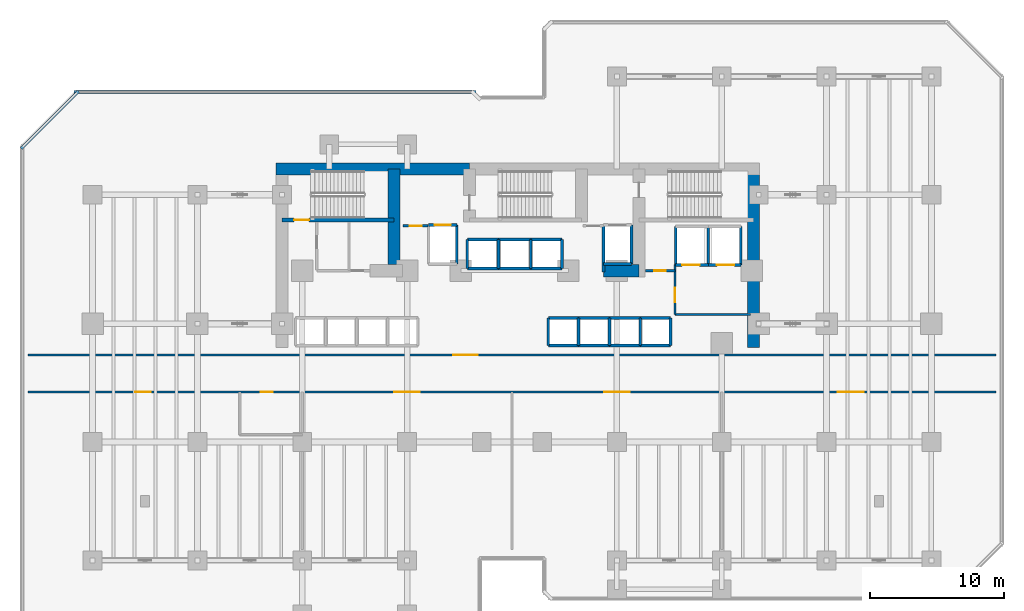
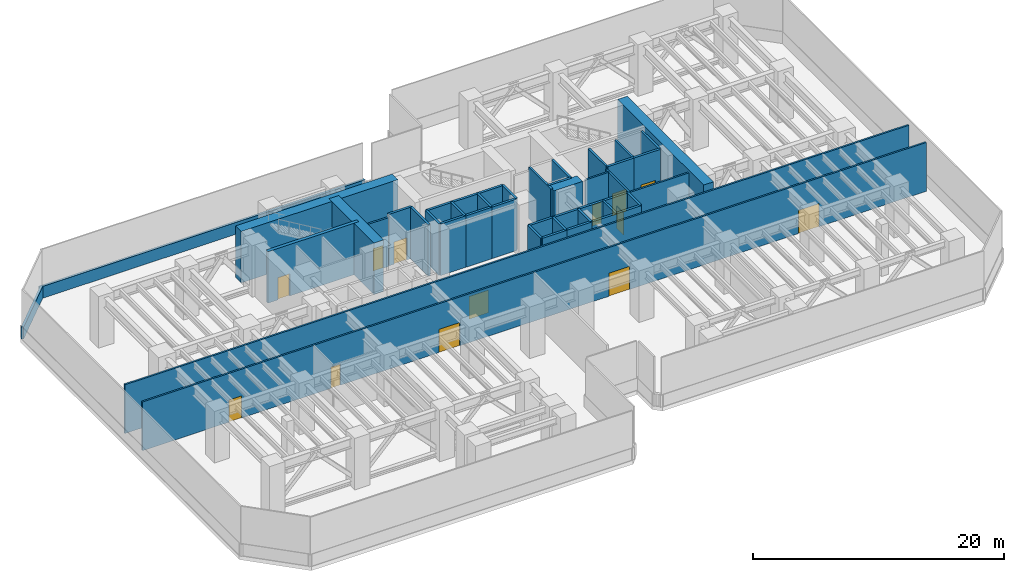
# One storey, part 7 of 13: 46 walls, 13 doors, 13 openings.
"""IFC4 building model written with IfcOpenShell, lengths in metres."""

from ifc_helpers import new_model, si_unit, direction, frame, frame_2d, origin, place, context, subcontext, project, spatial, rectangle, extrude, material, layer, layer_set, type_object, element, fill, save


model = new_model("IFC4")

# Units and contexts
model_context = context("Model", 3, precision=1e-05, world=origin(), true_north=direction((0.0, 1.0)))
body_context = subcontext(model_context, "Body", "Model", "MODEL_VIEW")
ifc_project = project(units=[si_unit("LENGTHUNIT", "METRE"), si_unit("AREAUNIT", "SQUARE_METRE"), si_unit("VOLUMEUNIT", "CUBIC_METRE"), si_unit("PLANEANGLEUNIT", "RADIAN"), si_unit("MASSUNIT", "GRAM", prefix="KILO")], contexts=[model_context])

# Site, building, storey
site_placement = place(None, origin())
site = spatial("IfcSite", under=ifc_project, at=site_placement, CompositionType="ELEMENT")
building_placement = place(site_placement, origin())
building = spatial("IfcBuilding", under=site, at=building_placement, Name="Kestravale Grand Hotel", CompositionType="ELEMENT")
storey_placement = place(building_placement, frame((0.0, 0.0, 75.39990234375)))
storey = spatial("IfcBuildingStorey", under=building, at=storey_placement, Name="L18", CompositionType="ELEMENT", Elevation=75.39990234375)

# Walls
ifc_material_1 = material(Name="Concrete f'c 70 MPa", Category="concrete")
ifc_layer_1 = layer(ifc_material_1, 0.89990234375)
ifc_layer_set_1 = layer_set([ifc_layer_1], Name="EW-CORE-900")
wall_type_1 = type_object("IfcWallType", Name="EW-CORE-900", PredefinedType="SHEAR", material=ifc_layer_set_1)
wall_1_placement = place(storey_placement, frame((21.449951171875, 40.320068359375, 0.0), z_axis=(0.0, 0.0, 1.0), x_axis=(1.0, 0.0, 0.0)))
element("IfcWall", 1, at=wall_1_placement, inside=storey, type_object=wall_type_1, Name="L18 core shear wall N1", PredefinedType="SHEAR", context=body_context, shape_type="SweptSolid", body=[
    extrude(rectangle(XDim=14.400146484375, YDim=0.89990234375, at=frame_2d((7.2001953125, 0.0))), origin(), (0.0, 0.0, 1.0), 5.0),
])
wall_2_placement = place(storey_placement, frame((56.969970703125, 27.050048828125, 0.0), z_axis=(0.0, 0.0, 1.0), x_axis=(0.0, 1.0, 0.0)))
element("IfcWall", 2, at=wall_2_placement, inside=storey, type_object=wall_type_1, Name="L18 core shear wall E1", PredefinedType="SHEAR", context=body_context, shape_type="SweptSolid", body=[
    extrude(rectangle(XDim=13.719970703125, YDim=0.89990234375, at=frame_2d((6.85986328125, 0.0))), origin(), (0.0, 0.0, 1.0), 5.0),
])
wall_3_placement = place(storey_placement, frame((45.81005859375, 32.75, 0.0), z_axis=(0.0, 0.0, 1.0), x_axis=(1.0, 0.0, 0.0)))
element("IfcWall", 3, at=wall_3_placement, inside=storey, type_object=wall_type_1, Name="L18 core shear wall S2", PredefinedType="SHEAR", context=body_context, shape_type="SweptSolid", body=[
    extrude(rectangle(XDim=2.639892578125, YDim=0.89990234375, at=frame_2d((1.31982421875, 0.0))), origin(), (0.0, 0.0, 1.0), 5.0),
])
wall_4_placement = place(storey_placement, frame((30.219970703125, 33.199951171875, 0.0), z_axis=(0.0, 0.0, 1.0), x_axis=(0.0, 1.0, 0.0)))
element("IfcWall", 4, at=wall_4_placement, inside=storey, type_object=wall_type_1, Name="L18 core shear wall X1", PredefinedType="SHEAR", context=body_context, shape_type="SweptSolid", body=[
    extrude(rectangle(XDim=7.1201171875, YDim=0.89990234375, at=frame_2d((3.56005859375, 0.0))), origin(), (0.0, 0.0, 1.0), 5.0),
])
ifc_material_2 = material(Name="Precast concrete f'c 45 MPa", Category="concrete")
ifc_layer_2 = layer(ifc_material_2, 0.219970703125)
ifc_layer_set_2 = layer_set([ifc_layer_2], Name="EW-PAR-220")
wall_type_2 = type_object("IfcWallType", Name="EW-PAR-220", PredefinedType="PARAPET", material=ifc_layer_set_2)
wall_5_placement = place(storey_placement, frame((36.320068359375, 46.030029296875, 0.0), z_axis=(0.0, 0.0, 1.0), x_axis=(-1.0, 0.0, 0.0)))
element("IfcWall", 5, at=wall_5_placement, inside=storey, type_object=wall_type_2, Name="L18 refuge band parapet wall 17", PredefinedType="PARAPET", context=body_context, shape_type="SweptSolid", body=[
    extrude(rectangle(XDim=29.89013671875, YDim=0.219970703125, at=frame_2d((14.945068359375, 0.0))), origin(), (0.0, 0.0, 1.0), 1.150146484375),
])
wall_6_placement = place(storey_placement, frame((6.74853515625, 46.108154296875, 0.0), z_axis=(0.0, 0.0, 1.0), x_axis=(-0.707106781187, -0.707106781187, 0.0)))
element("IfcWall", 6, at=wall_6_placement, inside=storey, type_object=wall_type_2, Name="L18 refuge band parapet wall 18", PredefinedType="PARAPET", context=body_context, shape_type="SweptSolid", body=[
    extrude(rectangle(XDim=6.019775390625, YDim=0.219970703125, at=frame_2d((3.009765625, 0.0))), origin(), (0.0, 0.0, 1.0), 1.150146484375),
])

# Wall, opening, door
ifc_material_3 = material(Name="Concrete f'c 45 MPa", Category="concrete")
ifc_layer_3 = layer(ifc_material_3, 0.300048828125)
ifc_layer_set_3 = layer_set([ifc_layer_3], Name="EW-STAIR-300")
wall_type_3 = type_object("IfcWallType", Name="EW-STAIR-300", PredefinedType="SHEAR", material=ifc_layer_set_3)
wall_7_placement = place(storey_placement, frame((21.89990234375, 36.52001953125, 0.0), z_axis=(0.0, 0.0, 1.0), x_axis=(1.0, 0.0, 0.0)))
wall_7 = element("IfcWall", 7, at=wall_7_placement, inside=storey, type_object=wall_type_3, Name="L18 stair enclosure shear wall SST1", PredefinedType="SHEAR", context=body_context, shape_type="SweptSolid", body=[
    extrude(rectangle(XDim=8.320068359375, YDim=0.300048828125, at=frame_2d((4.16015625, 0.0))), origin(), (0.0, 0.0, 1.0), 5.0),
])
opening_1_placement = place(wall_7_placement, frame((0.89990234375, 0.0, 0.0)))
opening_1 = element("IfcOpeningElement", 8, at=opening_1_placement, cuts=wall_7, Name="Opening D-ST-1100", PredefinedType="OPENING", context=body_context, shape_type="SweptSolid", body=[
    extrude(rectangle(XDim=1.10009765625, YDim=2.14990234375, at=frame_2d((0.550048828125, 1.074951171875))), frame((0.0, 0.159912109375, 0.0), z_axis=(0.0, -1.0, 0.0), x_axis=(1.0, 0.0, 0.0)), (0.0, 0.0, 1.0), 0.320068359375),
])
ifc_material_4 = material(Name="Galvanised 90-minute fire-rated steel stair door", Category="steel")
door_type_1 = type_object("IfcDoorType", Name="D-ST-1100", OperationType="NOTDEFINED", PredefinedType="DOOR", material=ifc_material_4)
door_1_placement = place(opening_1_placement, origin())
door_1 = element("IfcDoor", 9, at=door_1_placement, inside=storey, type_object=door_type_1, Name="L18 Stair ST-1 fire door", OperationType="SINGLE_SWING_RIGHT", OverallHeight=2.14990234375, OverallWidth=1.10009765625, PredefinedType="DOOR", context=body_context, shape_type="SweptSolid", body=[
    extrude(rectangle(XDim=1.10009765625, YDim=2.14990234375, at=frame_2d((0.550048828125, 1.074951171875))), frame((0.0, 0.02490234375, 0.0), z_axis=(0.0, -1.0, 0.0), x_axis=(1.0, 0.0, 0.0)), (0.0, 0.0, 1.0), 0.050048828125),
])
fill(opening_1, door_1)

ifc_material_5 = material(Name="Acoustic fire-rated gypsum board partition", Category="other")
ifc_layer_4 = layer(ifc_material_5, 0.159912109375)
ifc_layer_set_4 = layer_set([ifc_layer_4], Name="IW-CORR-160")
wall_type_4 = type_object("IfcWallType", Name="IW-CORR-160", PredefinedType="PARTITIONING", material=ifc_layer_set_4)
wall_8_placement = place(storey_placement, frame((51.1201171875, 29.5, 0.0), z_axis=(0.0, 0.0, 1.0), x_axis=(0.0, 1.0, 0.0)))
wall_8 = element("IfcWall", 10, at=wall_8_placement, inside=storey, type_object=wall_type_4, Name="W-L18-SVCLOB-W", PredefinedType="PARTITIONING", context=body_context, shape_type="SweptSolid", body=[
    extrude(rectangle(XDim=3.699951171875, YDim=0.159912109375, at=frame_2d((1.85009765625, 0.0))), origin(), (0.0, 0.0, 1.0), 4.739990234375),
])
opening_2_placement = place(wall_8_placement, frame((0.89990234375, 0.0, 0.0)))
opening_2 = element("IfcOpeningElement", 11, at=opening_2_placement, cuts=wall_8, Name="Opening D-CORR-1100", PredefinedType="OPENING", context=body_context, shape_type="SweptSolid", body=[
    extrude(rectangle(XDim=1.10009765625, YDim=2.14990234375, at=frame_2d((0.550048828125, 1.074951171875))), frame((0.0, 0.08984375, 0.0), z_axis=(0.0, -1.0, 0.0), x_axis=(1.0, 0.0, 0.0)), (0.0, 0.0, 1.0), 0.179931640625),
])
ifc_material_6 = material(Name="Single-leaf service vestibule fire door", Category="steel")
door_type_2 = type_object("IfcDoorType", Name="D-CORR-1100", OperationType="NOTDEFINED", PredefinedType="DOOR", material=ifc_material_6)
door_2_placement = place(opening_2_placement, origin())
door_2 = element("IfcDoor", 12, at=door_2_placement, inside=storey, type_object=door_type_2, Name="L18 service lift lobby door", OperationType="SINGLE_SWING_LEFT", OverallHeight=2.14990234375, OverallWidth=1.10009765625, PredefinedType="DOOR", context=body_context, shape_type="SweptSolid", body=[
    extrude(rectangle(XDim=1.10009765625, YDim=2.14990234375, at=frame_2d((0.550048828125, 1.074951171875))), frame((0.0, 0.02490234375, 0.0), z_axis=(0.0, -1.0, 0.0), x_axis=(1.0, 0.0, 0.0)), (0.0, 0.0, 1.0), 0.050048828125),
])
fill(opening_2, door_2)

# Wall
wall_9_placement = place(storey_placement, frame((51.1201171875, 29.5, 0.0), z_axis=(0.0, 0.0, 1.0), x_axis=(1.0, 0.0, 0.0)))
element("IfcWall", 13, at=wall_9_placement, inside=storey, type_object=wall_type_4, Name="L18 service lift lobby wall", PredefinedType="PARTITIONING", context=body_context, shape_type="SweptSolid", body=[
    extrude(rectangle(XDim=5.6298828125, YDim=0.159912109375, at=frame_2d((2.81494140625, 0.0))), origin(), (0.0, 0.0, 1.0), 4.739990234375),
])

# Wall, opening, door
wall_10_placement = place(storey_placement, frame((48.919921875, 32.75, 0.0), z_axis=(0.0, 0.0, 1.0), x_axis=(1.0, 0.0, 0.0)))
wall_10 = element("IfcWall", 14, at=wall_10_placement, inside=storey, type_object=wall_type_4, Name="W-L18-CES", PredefinedType="PARTITIONING", context=body_context, shape_type="SweptSolid", body=[
    extrude(rectangle(XDim=2.2001953125, YDim=0.159912109375, at=frame_2d((1.10009765625, 0.0))), origin(), (0.0, 0.0, 1.0), 4.739990234375),
])
opening_3_placement = place(wall_10_placement, frame((0.64990234375, 0.0, 0.0)))
opening_3 = element("IfcOpeningElement", 15, at=opening_3_placement, cuts=wall_10, Name="Opening D-SH-860", PredefinedType="OPENING", context=body_context, shape_type="SweptSolid", body=[
    extrude(rectangle(XDim=0.860107421875, YDim=2.050048828125, at=frame_2d((0.43017578125, 1.02490234375))), frame((0.0, 0.08984375, 0.0), z_axis=(0.0, -1.0, 0.0), x_axis=(1.0, 0.0, 0.0)), (0.0, 0.0, 1.0), 0.179931640625),
])
ifc_material_7 = material(Name="Galvanised 90-minute riser fire door", Category="steel")
door_type_3 = type_object("IfcDoorType", Name="D-SH-860", OperationType="NOTDEFINED", PredefinedType="DOOR", material=ifc_material_7)
door_3_placement = place(opening_3_placement, origin())
door_3 = element("IfcDoor", 16, at=door_3_placement, inside=storey, type_object=door_type_3, Name="L18 CSTO1 door", OperationType="SINGLE_SWING_RIGHT", OverallHeight=2.050048828125, OverallWidth=0.860107421875, PredefinedType="DOOR", context=body_context, shape_type="SweptSolid", body=[
    extrude(rectangle(XDim=0.860107421875, YDim=2.050048828125, at=frame_2d((0.43017578125, 1.02490234375))), frame((0.0, 0.02490234375, 0.0), z_axis=(0.0, -1.0, 0.0), x_axis=(1.0, 0.0, 0.0)), (0.0, 0.0, 1.0), 0.050048828125),
])
fill(opening_3, door_3)

# Wall, openings, doors
wall_11_placement = place(storey_placement, frame((3.0, 23.719970703125, 0.0), z_axis=(0.0, 0.0, 1.0), x_axis=(1.0, 0.0, 0.0)))
wall_11 = element("IfcWall", 17, at=wall_11_placement, inside=storey, type_object=wall_type_4, Name="W-L18-PC-S", PredefinedType="PARTITIONING", context=body_context, shape_type="SweptSolid", body=[
    extrude(rectangle(XDim=72.0, YDim=0.159912109375, at=frame_2d((36.0, 0.0))), origin(), (0.0, 0.0, 1.0), 4.739990234375),
])
opening_4_placement = place(wall_11_placement, frame((17.31005859375, 0.0, 0.0)))
opening_4 = element("IfcOpeningElement", 18, at=opening_4_placement, cuts=wall_11, Name="Opening D-BATH-880", PredefinedType="OPENING", context=body_context, shape_type="SweptSolid", body=[
    extrude(rectangle(XDim=0.8798828125, YDim=2.050048828125, at=frame_2d((0.43994140625, 1.02490234375))), frame((0.0, 0.08984375, 0.0), z_axis=(0.0, -1.0, 0.0), x_axis=(1.0, 0.0, 0.0)), (0.0, 0.0, 1.0), 0.179931640625),
])
opening_5_placement = place(wall_11_placement, frame((7.97509765625, 0.0, 0.0)))
opening_5 = element("IfcOpeningElement", 19, at=opening_5_placement, cuts=wall_11, Name="Opening D-FSAE-1150", PredefinedType="OPENING", context=body_context, shape_type="SweptSolid", body=[
    extrude(rectangle(XDim=1.14990234375, YDim=2.14990234375, at=frame_2d((0.574951171875, 1.074951171875))), frame((0.0, 0.08984375, 0.0), z_axis=(0.0, -1.0, 0.0), x_axis=(1.0, 0.0, 0.0)), (0.0, 0.0, 1.0), 0.179931640625),
])
opening_6_placement = place(wall_11_placement, frame((27.25, 0.0, 0.0)))
opening_6 = element("IfcOpeningElement", 20, at=opening_6_placement, cuts=wall_11, Name="Opening D-PLT-1900", PredefinedType="OPENING", context=body_context, shape_type="SweptSolid", body=[
    extrude(rectangle(XDim=1.89990234375, YDim=2.25, at=frame_2d((0.949951171875, 1.125))), frame((0.0, 0.08984375, 0.0), z_axis=(0.0, -1.0, 0.0), x_axis=(1.0, 0.0, 0.0)), (0.0, 0.0, 1.0), 0.179931640625),
])
opening_7_placement = place(wall_11_placement, frame((42.85009765625, 0.0, 0.0)))
opening_7 = element("IfcOpeningElement", 21, at=opening_7_placement, cuts=wall_11, Name="Opening D-PLT-1900", PredefinedType="OPENING", context=body_context, shape_type="SweptSolid", body=[
    extrude(rectangle(XDim=1.89990234375, YDim=2.25, at=frame_2d((0.949951171875, 1.125))), frame((0.0, 0.08984375, 0.0), z_axis=(0.0, -1.0, 0.0), x_axis=(1.0, 0.0, 0.0)), (0.0, 0.0, 1.0), 0.179931640625),
])
opening_8_placement = place(wall_11_placement, frame((60.25, 0.0, 0.0)))
opening_8 = element("IfcOpeningElement", 22, at=opening_8_placement, cuts=wall_11, Name="Opening D-PLT-1900", PredefinedType="OPENING", context=body_context, shape_type="SweptSolid", body=[
    extrude(rectangle(XDim=1.89990234375, YDim=2.25, at=frame_2d((0.949951171875, 1.125))), frame((0.0, 0.08984375, 0.0), z_axis=(0.0, -1.0, 0.0), x_axis=(1.0, 0.0, 0.0)), (0.0, 0.0, 1.0), 0.179931640625),
])
ifc_material_8 = material(Name="Moisture-sealed walnut en-suite bathroom door", Category="wood")
door_type_4 = type_object("IfcDoorType", Name="D-BATH-880", OperationType="NOTDEFINED", PredefinedType="DOOR", material=ifc_material_8)
door_4_placement = place(opening_4_placement, origin())
door_4 = element("IfcDoor", 23, at=door_4_placement, inside=storey, type_object=door_type_4, Name="D-L18-RWC", OperationType="SINGLE_SWING_RIGHT", OverallHeight=2.050048828125, OverallWidth=0.8798828125, PredefinedType="DOOR", context=body_context, shape_type="SweptSolid", body=[
    extrude(rectangle(XDim=0.8798828125, YDim=2.050048828125, at=frame_2d((0.43994140625, 1.02490234375))), frame((0.0, 0.02490234375, 0.0), z_axis=(0.0, -1.0, 0.0), x_axis=(1.0, 0.0, 0.0)), (0.0, 0.0, 1.0), 0.050048828125),
])
fill(opening_4, door_4)
ifc_material_9 = material(Name="Smoke-gasketed FSAE lobby fire door", Category="steel")
door_type_5 = type_object("IfcDoorType", Name="D-FSAE-1150", OperationType="NOTDEFINED", PredefinedType="DOOR", material=ifc_material_9)
door_5_placement = place(opening_5_placement, origin())
door_5 = element("IfcDoor", 24, at=door_5_placement, inside=storey, type_object=door_type_5, Name="D-L18-REFUGE", OperationType="SINGLE_SWING_LEFT", OverallHeight=2.14990234375, OverallWidth=1.14990234375, PredefinedType="DOOR", context=body_context, shape_type="SweptSolid", body=[
    extrude(rectangle(XDim=1.14990234375, YDim=2.14990234375, at=frame_2d((0.574951171875, 1.074951171875))), frame((0.0, 0.02490234375, 0.0), z_axis=(0.0, -1.0, 0.0), x_axis=(1.0, 0.0, 0.0)), (0.0, 0.0, 1.0), 0.050048828125),
])
fill(opening_5, door_5)
ifc_material_10 = material(Name="Heavy-duty double plant room fire door", Category="steel")
door_type_6 = type_object("IfcDoorType", Name="D-PLT-1900", OperationType="NOTDEFINED", PredefinedType="DOOR", material=ifc_material_10)
door_6_placement = place(opening_6_placement, origin())
door_6 = element("IfcDoor", 25, at=door_6_placement, inside=storey, type_object=door_type_6, Name="D-L18-AHU", OperationType="DOUBLE_DOOR_SINGLE_SWING", OverallHeight=2.25, OverallWidth=1.89990234375, PredefinedType="DOOR", context=body_context, shape_type="SweptSolid", body=[
    extrude(rectangle(XDim=1.89990234375, YDim=2.25, at=frame_2d((0.949951171875, 1.125))), frame((0.0, 0.02490234375, 0.0), z_axis=(0.0, -1.0, 0.0), x_axis=(1.0, 0.0, 0.0)), (0.0, 0.0, 1.0), 0.050048828125),
])
fill(opening_6, door_6)
door_7_placement = place(opening_7_placement, origin())
door_7 = element("IfcDoor", 26, at=door_7_placement, inside=storey, type_object=door_type_6, Name="D-L18-HEX", OperationType="DOUBLE_DOOR_SINGLE_SWING", OverallHeight=2.25, OverallWidth=1.89990234375, PredefinedType="DOOR", context=body_context, shape_type="SweptSolid", body=[
    extrude(rectangle(XDim=1.89990234375, YDim=2.25, at=frame_2d((0.949951171875, 1.125))), frame((0.0, 0.02490234375, 0.0), z_axis=(0.0, -1.0, 0.0), x_axis=(1.0, 0.0, 0.0)), (0.0, 0.0, 1.0), 0.050048828125),
])
fill(opening_7, door_7)
door_8_placement = place(opening_8_placement, origin())
door_8 = element("IfcDoor", 27, at=door_8_placement, inside=storey, type_object=door_type_6, Name="D-L18-SUB", OperationType="DOUBLE_DOOR_SINGLE_SWING", OverallHeight=2.25, OverallWidth=1.89990234375, PredefinedType="DOOR", context=body_context, shape_type="SweptSolid", body=[
    extrude(rectangle(XDim=1.89990234375, YDim=2.25, at=frame_2d((0.949951171875, 1.125))), frame((0.0, 0.02490234375, 0.0), z_axis=(0.0, -1.0, 0.0), x_axis=(1.0, 0.0, 0.0)), (0.0, 0.0, 1.0), 0.050048828125),
])
fill(opening_8, door_8)

# Wall, opening, door
wall_12_placement = place(storey_placement, frame((3.0, 26.47998046875, 0.0), z_axis=(0.0, 0.0, 1.0), x_axis=(1.0, 0.0, 0.0)))
wall_12 = element("IfcWall", 28, at=wall_12_placement, inside=storey, type_object=wall_type_4, Name="W-L18-PC-N", PredefinedType="PARTITIONING", context=body_context, shape_type="SweptSolid", body=[
    extrude(rectangle(XDim=72.0, YDim=0.159912109375, at=frame_2d((36.0, 0.0))), origin(), (0.0, 0.0, 1.0), 4.739990234375),
])
opening_9_placement = place(wall_12_placement, frame((31.634033203125, 0.0, 0.0)))
opening_9 = element("IfcOpeningElement", 29, at=opening_9_placement, cuts=wall_12, Name="Opening D-CORR-1800", PredefinedType="OPENING", context=body_context, shape_type="SweptSolid", body=[
    extrude(rectangle(XDim=1.800048828125, YDim=2.199951171875, at=frame_2d((0.89990234375, 1.10009765625))), frame((0.0, 0.08984375, 0.0), z_axis=(0.0, -1.0, 0.0), x_axis=(1.0, 0.0, 0.0)), (0.0, 0.0, 1.0), 0.179931640625),
])
ifc_material_11 = material(Name="Double-leaf glazed bronze acoustic corridor fire door", Category="aluminium")
door_type_7 = type_object("IfcDoorType", Name="D-CORR-1800", OperationType="NOTDEFINED", PredefinedType="DOOR", material=ifc_material_11)
door_9_placement = place(opening_9_placement, origin())
door_9 = element("IfcDoor", 30, at=door_9_placement, inside=storey, type_object=door_type_7, Name="D-L18-PC-LFT", OperationType="DOUBLE_DOOR_SINGLE_SWING", OverallHeight=2.199951171875, OverallWidth=1.800048828125, PredefinedType="DOOR", context=body_context, shape_type="SweptSolid", body=[
    extrude(rectangle(XDim=1.800048828125, YDim=2.199951171875, at=frame_2d((0.89990234375, 1.10009765625))), frame((0.0, 0.02490234375, 0.0), z_axis=(0.0, -1.0, 0.0), x_axis=(1.0, 0.0, 0.0)), (0.0, 0.0, 1.0), 0.050048828125),
])
fill(opening_9, door_9)

ifc_material_12 = material(Name="Fire-rated gypsum board on steel studs with mineral wool", Category="steel")
ifc_layer_5 = layer(ifc_material_12, 0.179931640625)
ifc_layer_set_5 = layer_set([ifc_layer_5], Name="IW-FSAE-180")
wall_type_5 = type_object("IfcWallType", Name="IW-FSAE-180", PredefinedType="PARTITIONING", material=ifc_layer_set_5)
wall_13_placement = place(storey_placement, frame((30.89990234375, 36.080078125, 0.0), z_axis=(0.0, 0.0, 1.0), x_axis=(1.0, 0.0, 0.0)))
wall_13 = element("IfcWall", 31, at=wall_13_placement, inside=storey, type_object=wall_type_5, Name="L18 FSAE Lobby 1 smoke barrier", PredefinedType="PARTITIONING", context=body_context, shape_type="SweptSolid", body=[
    extrude(rectangle(XDim=1.85009765625, YDim=0.179931640625, at=frame_2d((0.925048828125, 0.0))), origin(), (0.0, 0.0, 1.0), 4.739990234375),
])
opening_10_placement = place(wall_13_placement, frame((0.47998046875, 0.0, 0.0)))
opening_10 = element("IfcOpeningElement", 32, at=opening_10_placement, cuts=wall_13, Name="Opening D-FSAE-1000", PredefinedType="OPENING", context=body_context, shape_type="SweptSolid", body=[
    extrude(rectangle(XDim=0.89990234375, YDim=2.14990234375, at=frame_2d((0.449951171875, 1.074951171875))), frame((0.0, 0.099853515625, 0.0), z_axis=(0.0, -1.0, 0.0), x_axis=(1.0, 0.0, 0.0)), (0.0, 0.0, 1.0), 0.199951171875),
])
ifc_material_13 = material(Name="Smoke-gasketed FSAE lobby fire door", Category="steel")
door_type_8 = type_object("IfcDoorType", Name="D-FSAE-1000", OperationType="NOTDEFINED", PredefinedType="DOOR", material=ifc_material_13)
door_10_placement = place(opening_10_placement, origin())
door_10 = element("IfcDoor", 33, at=door_10_placement, inside=storey, type_object=door_type_8, Name="L18 FSAE Lobby 1 fire door", OperationType="SINGLE_SWING_RIGHT", OverallHeight=2.14990234375, OverallWidth=0.89990234375, PredefinedType="DOOR", context=body_context, shape_type="SweptSolid", body=[
    extrude(rectangle(XDim=0.89990234375, YDim=2.14990234375, at=frame_2d((0.449951171875, 1.074951171875))), frame((0.0, 0.02490234375, 0.0), z_axis=(0.0, -1.0, 0.0), x_axis=(1.0, 0.0, 0.0)), (0.0, 0.0, 1.0), 0.050048828125),
])
fill(opening_10, door_10)

# Walls
ifc_material_14 = material(Name="Concrete f'c 45 MPa", Category="concrete")
ifc_layer_6 = layer(ifc_material_14, 0.199951171875)
ifc_layer_set_6 = layer_set([ifc_layer_6], Name="IW-SHAFT-200")
wall_type_6 = type_object("IfcWallType", Name="IW-SHAFT-200", PredefinedType="SHEAR", material=ifc_layer_set_6)
for number, where, z_axis, x_axis, name in (
    (34, (41.705078125, 27.169921875, 0.0), (0.0, 0.0, 1.0), (0.0, 1.0, 0.0), "L18 PL-M1 west shaft wall"),
    (35, (43.949951171875, 27.169921875, 0.0), (0.0, 0.0, 1.0), (0.0, 1.0, 0.0), "L18 PL-M2 west shaft wall"),
    (36, (46.25, 27.169921875, 0.0), (0.0, 0.0, 1.0), (0.0, 1.0, 0.0), "L18 PL-M3 west shaft wall"),
    (37, (48.550048828125, 27.169921875, 0.0), (0.0, 0.0, 1.0), (0.0, 1.0, 0.0), "L18 PL-M4 west shaft wall"),
    (38, (50.794921875, 27.169921875, 0.0), (0.0, 0.0, 1.0), (0.0, 1.0, 0.0), "L18 PL-M4 east shaft wall"),
):
    element("IfcWall", number, at=place(storey_placement, frame(where, z_axis=z_axis, x_axis=x_axis)), inside=storey, type_object=wall_type_6, Name=name, PredefinedType="SHEAR", context=body_context, shape_type="SweptSolid", body=[
        extrude(rectangle(XDim=2.06005859375, YDim=0.199951171875, at=frame_2d((1.030029296875, 0.0))), origin(), (0.0, 0.0, 1.0), 5.0),
    ])
for number, where, z_axis, x_axis, name in (
    (39, (35.679931640625, 32.919921875, 0.0), (0.0, 0.0, 1.0), (0.0, 1.0, 0.0), "L18 PL-X1 west shaft wall"),
    (40, (38.0, 32.919921875, 0.0), (0.0, 0.0, 1.0), (0.0, 1.0, 0.0), "L18 PL-X2 west shaft wall"),
    (41, (40.39990234375, 32.919921875, 0.0), (0.0, 0.0, 1.0), (0.0, 1.0, 0.0), "L18 PL-X3 west shaft wall"),
    (42, (42.719970703125, 32.919921875, 0.0), (0.0, 0.0, 1.0), (0.0, 1.0, 0.0), "L18 PL-X3 east shaft wall"),
):
    element("IfcWall", number, at=place(storey_placement, frame(where, z_axis=z_axis, x_axis=x_axis)), inside=storey, type_object=wall_type_6, Name=name, PredefinedType="SHEAR", context=body_context, shape_type="SweptSolid", body=[
        extrude(rectangle(XDim=2.16015625, YDim=0.199951171875, at=frame_2d((1.080078125, 0.0))), origin(), (0.0, 0.0, 1.0), 5.0),
    ])
for number, where, z_axis, x_axis, name in (
    (43, (51.179931640625, 33.169921875, 0.0), (0.0, 0.0, 1.0), (0.0, 1.0, 0.0), "L18 SL-1 west shaft wall"),
    (44, (53.60009765625, 33.169921875, 0.0), (0.0, 0.0, 1.0), (0.0, 1.0, 0.0), "L18 SL-2 west shaft wall"),
    (45, (56.02001953125, 33.169921875, 0.0), (0.0, 0.0, 1.0), (0.0, 1.0, 0.0), "L18 SL-2 east shaft wall"),
):
    element("IfcWall", number, at=place(storey_placement, frame(where, z_axis=z_axis, x_axis=x_axis)), inside=storey, type_object=wall_type_6, Name=name, PredefinedType="SHEAR", context=body_context, shape_type="SweptSolid", body=[
        extrude(rectangle(XDim=2.860107421875, YDim=0.199951171875, at=frame_2d((1.43017578125, 0.0))), origin(), (0.0, 0.0, 1.0), 5.0),
    ])
wall_14_placement = place(storey_placement, frame((34.89501953125, 33.2451171875, 0.0), z_axis=(0.0, 0.0, 1.0), x_axis=(0.0, 1.0, 0.0)))
element("IfcWall", 46, at=wall_14_placement, inside=storey, type_object=wall_type_6, Name="L18 FL-1 east shaft wall", PredefinedType="SHEAR", context=body_context, shape_type="SweptSolid", body=[
    extrude(rectangle(XDim=2.909912109375, YDim=0.199951171875, at=frame_2d((1.455078125, 0.0))), origin(), (0.0, 0.0, 1.0), 5.0),
])
wall_15_placement = place(storey_placement, frame((45.804931640625, 32.64990234375, 0.0), z_axis=(0.0, 0.0, 1.0), x_axis=(0.0, 1.0, 0.0)))
element("IfcWall", 47, at=wall_15_placement, inside=storey, type_object=wall_type_6, Name="L18 FL-2 west shaft wall", PredefinedType="SHEAR", context=body_context, shape_type="SweptSolid", body=[
    extrude(rectangle(XDim=3.505126953125, YDim=0.199951171875, at=frame_2d((1.75244140625, 0.0))), origin(), (0.0, 0.0, 1.0), 5.0),
])
wall_16_placement = place(storey_placement, frame((47.89501953125, 33.2451171875, 0.0), z_axis=(0.0, 0.0, 1.0), x_axis=(0.0, 1.0, 0.0)))
element("IfcWall", 48, at=wall_16_placement, inside=storey, type_object=wall_type_6, Name="L18 FL-2 east shaft wall", PredefinedType="SHEAR", context=body_context, shape_type="SweptSolid", body=[
    extrude(rectangle(XDim=2.909912109375, YDim=0.199951171875, at=frame_2d((1.455078125, 0.0))), origin(), (0.0, 0.0, 1.0), 5.0),
])
ifc_material_15 = material(Name="Concrete f'c 45 MPa", Category="concrete")
ifc_layer_7 = layer(ifc_material_15, 0.219970703125)
ifc_layer_set_7 = layer_set([ifc_layer_7], Name="IW-SHAFT-220")
wall_type_7 = type_object("IfcWallType", Name="IW-SHAFT-220", PredefinedType="SHEAR", material=ifc_layer_set_7)
for number, where, z_axis, x_axis, name in (
    (49, (41.705078125, 29.22998046875, 0.0), (0.0, 0.0, 1.0), (1.0, 0.0, 0.0), "L18 PL-M1 north shaft wall"),
    (50, (41.705078125, 27.169921875, 0.0), (0.0, 0.0, 1.0), (1.0, 0.0, 0.0), "L18 PL-M1 south shaft wall"),
):
    element("IfcWall", number, at=place(storey_placement, frame(where, z_axis=z_axis, x_axis=x_axis)), inside=storey, type_object=wall_type_7, Name=name, PredefinedType="SHEAR", context=body_context, shape_type="SweptSolid", body=[
        extrude(rectangle(XDim=2.244873046875, YDim=0.219970703125, at=frame_2d((1.12255859375, 0.0))), origin(), (0.0, 0.0, 1.0), 5.0),
    ])
for number, where, z_axis, x_axis, name in (
    (51, (43.949951171875, 29.22998046875, 0.0), (0.0, 0.0, 1.0), (1.0, 0.0, 0.0), "L18 PL-M2 north shaft wall"),
    (52, (43.949951171875, 27.169921875, 0.0), (0.0, 0.0, 1.0), (1.0, 0.0, 0.0), "L18 PL-M2 south shaft wall"),
    (53, (46.25, 29.22998046875, 0.0), (0.0, 0.0, 1.0), (1.0, 0.0, 0.0), "L18 PL-M3 north shaft wall"),
    (54, (46.25, 27.169921875, 0.0), (0.0, 0.0, 1.0), (1.0, 0.0, 0.0), "L18 PL-M3 south shaft wall"),
):
    element("IfcWall", number, at=place(storey_placement, frame(where, z_axis=z_axis, x_axis=x_axis)), inside=storey, type_object=wall_type_7, Name=name, PredefinedType="SHEAR", context=body_context, shape_type="SweptSolid", body=[
        extrude(rectangle(XDim=2.300048828125, YDim=0.219970703125, at=frame_2d((1.14990234375, 0.0))), origin(), (0.0, 0.0, 1.0), 5.0),
    ])
for number, where, z_axis, x_axis, name in (
    (55, (48.550048828125, 29.22998046875, 0.0), (0.0, 0.0, 1.0), (1.0, 0.0, 0.0), "L18 PL-M4 north shaft wall"),
    (56, (48.550048828125, 27.169921875, 0.0), (0.0, 0.0, 1.0), (1.0, 0.0, 0.0), "L18 PL-M4 south shaft wall"),
):
    element("IfcWall", number, at=place(storey_placement, frame(where, z_axis=z_axis, x_axis=x_axis)), inside=storey, type_object=wall_type_7, Name=name, PredefinedType="SHEAR", context=body_context, shape_type="SweptSolid", body=[
        extrude(rectangle(XDim=2.244873046875, YDim=0.219970703125, at=frame_2d((1.12255859375, 0.0))), origin(), (0.0, 0.0, 1.0), 5.0),
    ])
for number, where, z_axis, x_axis, name in (
    (57, (35.679931640625, 35.080078125, 0.0), (0.0, 0.0, 1.0), (1.0, 0.0, 0.0), "L18 PL-X1 north shaft wall"),
    (58, (35.679931640625, 32.919921875, 0.0), (0.0, 0.0, 1.0), (1.0, 0.0, 0.0), "L18 PL-X1 south shaft wall"),
):
    element("IfcWall", number, at=place(storey_placement, frame(where, z_axis=z_axis, x_axis=x_axis)), inside=storey, type_object=wall_type_7, Name=name, PredefinedType="SHEAR", context=body_context, shape_type="SweptSolid", body=[
        extrude(rectangle(XDim=2.320068359375, YDim=0.219970703125, at=frame_2d((1.16015625, 0.0))), origin(), (0.0, 0.0, 1.0), 5.0),
    ])
for number, where, z_axis, x_axis, name in (
    (59, (38.0, 35.080078125, 0.0), (0.0, 0.0, 1.0), (1.0, 0.0, 0.0), "L18 PL-X2 north shaft wall"),
    (60, (38.0, 32.919921875, 0.0), (0.0, 0.0, 1.0), (1.0, 0.0, 0.0), "L18 PL-X2 south shaft wall"),
):
    element("IfcWall", number, at=place(storey_placement, frame(where, z_axis=z_axis, x_axis=x_axis)), inside=storey, type_object=wall_type_7, Name=name, PredefinedType="SHEAR", context=body_context, shape_type="SweptSolid", body=[
        extrude(rectangle(XDim=2.39990234375, YDim=0.219970703125, at=frame_2d((1.199951171875, 0.0))), origin(), (0.0, 0.0, 1.0), 5.0),
    ])
for number, where, z_axis, x_axis, name in (
    (61, (40.39990234375, 35.080078125, 0.0), (0.0, 0.0, 1.0), (1.0, 0.0, 0.0), "L18 PL-X3 north shaft wall"),
    (62, (40.39990234375, 32.919921875, 0.0), (0.0, 0.0, 1.0), (1.0, 0.0, 0.0), "L18 PL-X3 south shaft wall"),
):
    element("IfcWall", number, at=place(storey_placement, frame(where, z_axis=z_axis, x_axis=x_axis)), inside=storey, type_object=wall_type_7, Name=name, PredefinedType="SHEAR", context=body_context, shape_type="SweptSolid", body=[
        extrude(rectangle(XDim=2.320068359375, YDim=0.219970703125, at=frame_2d((1.16015625, 0.0))), origin(), (0.0, 0.0, 1.0), 5.0),
    ])

# Wall, opening, door
wall_17_placement = place(storey_placement, frame((51.179931640625, 33.169921875, 0.0), z_axis=(0.0, 0.0, 1.0), x_axis=(1.0, 0.0, 0.0)))
wall_17 = element("IfcWall", 63, at=wall_17_placement, inside=storey, type_object=wall_type_7, Name="L18 SL-1 south shaft wall", PredefinedType="SHEAR", context=body_context, shape_type="SweptSolid", body=[
    extrude(rectangle(XDim=2.420166015625, YDim=0.219970703125, at=frame_2d((1.2099609375, 0.0))), origin(), (0.0, 0.0, 1.0), 5.0),
])
opening_11_placement = place(wall_17_placement, frame((0.469970703125, 0.0, 0.0)))
opening_11 = element("IfcOpeningElement", 64, at=opening_11_placement, cuts=wall_17, Name="Opening LD-SVC-1300", PredefinedType="OPENING", context=body_context, shape_type="SweptSolid", body=[
    extrude(rectangle(XDim=1.300048828125, YDim=2.14990234375, at=frame_2d((0.64990234375, 1.074951171875))), frame((0.0, 0.119873046875, 0.0), z_axis=(0.0, -1.0, 0.0), x_axis=(1.0, 0.0, 0.0)), (0.0, 0.0, 1.0), 0.239990234375),
])
ifc_material_16 = material(Name="Heavy-duty service sliding elevator landing door", Category="steel")
door_type_9 = type_object("IfcDoorType", Name="LD-SVC-1300", OperationType="NOTDEFINED", PredefinedType="DOOR", material=ifc_material_16)
door_11_placement = place(opening_11_placement, origin())
door_11 = element("IfcDoor", 65, at=door_11_placement, inside=storey, type_object=door_type_9, Name="L18 SL-1 elevator landing sliding door", OperationType="DOUBLE_DOOR_SLIDING", OverallHeight=2.14990234375, OverallWidth=1.300048828125, PredefinedType="DOOR", context=body_context, shape_type="SweptSolid", body=[
    extrude(rectangle(XDim=1.300048828125, YDim=2.14990234375, at=frame_2d((0.64990234375, 1.074951171875))), frame((0.0, 0.02490234375, 0.0), z_axis=(0.0, -1.0, 0.0), x_axis=(1.0, 0.0, 0.0)), (0.0, 0.0, 1.0), 0.050048828125),
])
fill(opening_11, door_11)

wall_18_placement = place(storey_placement, frame((53.60009765625, 33.169921875, 0.0), z_axis=(0.0, 0.0, 1.0), x_axis=(1.0, 0.0, 0.0)))
wall_18 = element("IfcWall", 66, at=wall_18_placement, inside=storey, type_object=wall_type_7, Name="L18 SL-2 south shaft wall", PredefinedType="SHEAR", context=body_context, shape_type="SweptSolid", body=[
    extrude(rectangle(XDim=2.419921875, YDim=0.219970703125, at=frame_2d((1.2099609375, 0.0))), origin(), (0.0, 0.0, 1.0), 5.0),
])
opening_12_placement = place(wall_18_placement, frame((0.64990234375, 0.0, 0.0)))
opening_12 = element("IfcOpeningElement", 67, at=opening_12_placement, cuts=wall_18, Name="Opening LD-SVC-1300", PredefinedType="OPENING", context=body_context, shape_type="SweptSolid", body=[
    extrude(rectangle(XDim=1.300048828125, YDim=2.14990234375, at=frame_2d((0.64990234375, 1.074951171875))), frame((0.0, 0.119873046875, 0.0), z_axis=(0.0, -1.0, 0.0), x_axis=(1.0, 0.0, 0.0)), (0.0, 0.0, 1.0), 0.239990234375),
])
door_12_placement = place(opening_12_placement, origin())
door_12 = element("IfcDoor", 68, at=door_12_placement, inside=storey, type_object=door_type_9, Name="L18 SL-2 elevator landing sliding door", OperationType="DOUBLE_DOOR_SLIDING", OverallHeight=2.14990234375, OverallWidth=1.300048828125, PredefinedType="DOOR", context=body_context, shape_type="SweptSolid", body=[
    extrude(rectangle(XDim=1.300048828125, YDim=2.14990234375, at=frame_2d((0.64990234375, 1.074951171875))), frame((0.0, 0.02490234375, 0.0), z_axis=(0.0, -1.0, 0.0), x_axis=(1.0, 0.0, 0.0)), (0.0, 0.0, 1.0), 0.050048828125),
])
fill(opening_12, door_12)

wall_19_placement = place(storey_placement, frame((32.804931640625, 36.155029296875, 0.0), z_axis=(0.0, 0.0, 1.0), x_axis=(1.0, 0.0, 0.0)))
wall_19 = element("IfcWall", 69, at=wall_19_placement, inside=storey, type_object=wall_type_7, Name="L18 FL-1 north shaft wall", PredefinedType="SHEAR", context=body_context, shape_type="SweptSolid", body=[
    extrude(rectangle(XDim=2.090087890625, YDim=0.219970703125, at=frame_2d((1.044921875, 0.0))), origin(), (0.0, 0.0, 1.0), 5.0),
])
opening_13_placement = place(wall_19_placement, frame((0.445068359375, 0.0, 0.0)))
opening_13 = element("IfcOpeningElement", 70, at=opening_13_placement, cuts=wall_19, Name="Opening LD-FSAE-1200", PredefinedType="OPENING", context=body_context, shape_type="SweptSolid", body=[
    extrude(rectangle(XDim=1.199951171875, YDim=2.14990234375, at=frame_2d((0.60009765625, 1.074951171875))), frame((0.0, 0.119873046875, 0.0), z_axis=(0.0, -1.0, 0.0), x_axis=(1.0, 0.0, 0.0)), (0.0, 0.0, 1.0), 0.239990234375),
])
ifc_material_17 = material(Name="Stainless fire-service sliding elevator landing door", Category="steel")
door_type_10 = type_object("IfcDoorType", Name="LD-FSAE-1200", OperationType="NOTDEFINED", PredefinedType="DOOR", material=ifc_material_17)
door_13_placement = place(opening_13_placement, origin())
door_13 = element("IfcDoor", 71, at=door_13_placement, inside=storey, type_object=door_type_10, Name="L18 FL-1 elevator landing sliding door", OperationType="DOUBLE_DOOR_SLIDING", OverallHeight=2.14990234375, OverallWidth=1.199951171875, PredefinedType="DOOR", context=body_context, shape_type="SweptSolid", body=[
    extrude(rectangle(XDim=1.199951171875, YDim=2.14990234375, at=frame_2d((0.60009765625, 1.074951171875))), frame((0.0, 0.02490234375, 0.0), z_axis=(0.0, -1.0, 0.0), x_axis=(1.0, 0.0, 0.0)), (0.0, 0.0, 1.0), 0.050048828125),
])
fill(opening_13, door_13)

# Wall
wall_20_placement = place(storey_placement, frame((45.804931640625, 33.2451171875, 0.0), z_axis=(0.0, 0.0, 1.0), x_axis=(1.0, 0.0, 0.0)))
element("IfcWall", 72, at=wall_20_placement, inside=storey, type_object=wall_type_7, Name="L18 FL-2 south shaft wall", PredefinedType="SHEAR", context=body_context, shape_type="SweptSolid", body=[
    extrude(rectangle(XDim=2.090087890625, YDim=0.219970703125, at=frame_2d((1.044921875, 0.0))), origin(), (0.0, 0.0, 1.0), 5.0),
])

save(model, "model.ifc")
